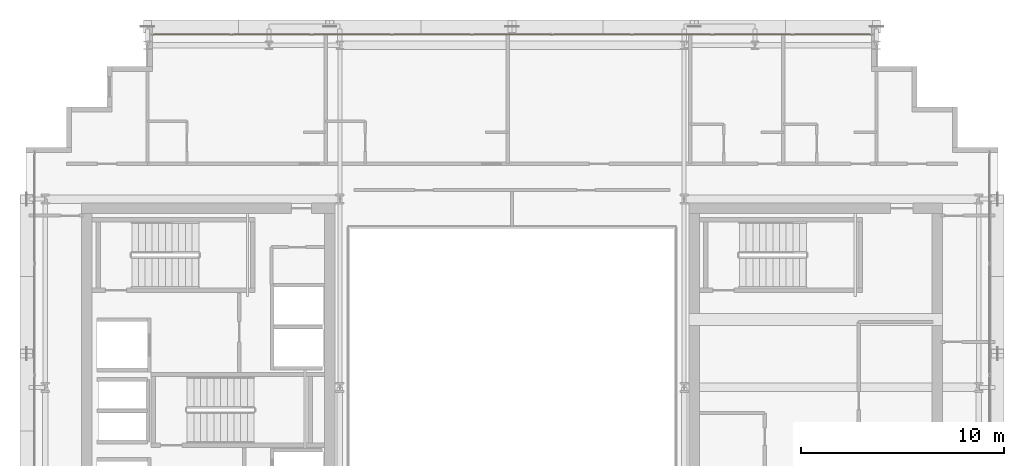
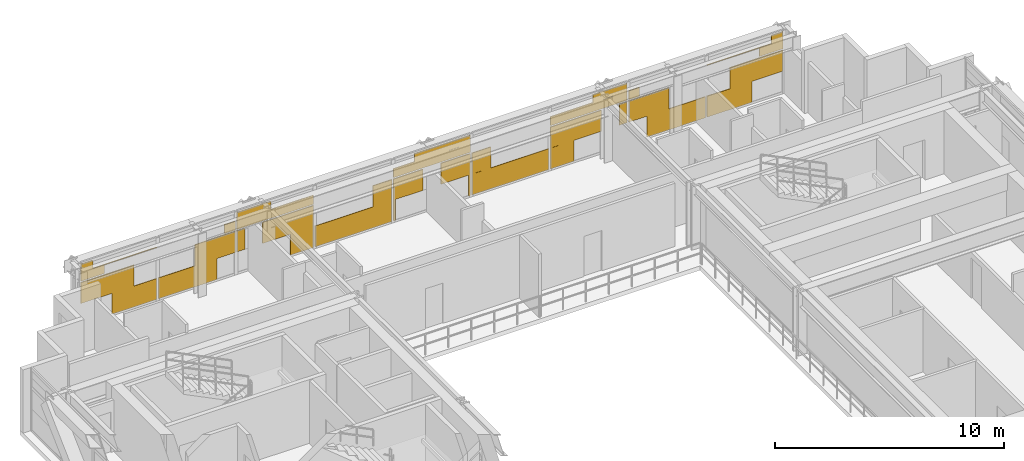
# One storey, part 32 of 32: 1 covering.
"""IFC4 building model written with IfcOpenShell, lengths in metres."""

from ifc_helpers import new_model, si_unit, direction, frame, origin, origin_2d, place, context, subcontext, project, spatial, rectangle, extrude, material, layer, layer_set, type_object, element, save


model = new_model("IFC4")

# Units and contexts
model_context = context("Model", 3, precision=1e-05, world=origin(), true_north=direction((0.0, 1.0)))
body_context = subcontext(model_context, "Body", "Model", "MODEL_VIEW")
ifc_project = project(units=[si_unit("LENGTHUNIT", "METRE"), si_unit("AREAUNIT", "SQUARE_METRE"), si_unit("VOLUMEUNIT", "CUBIC_METRE"), si_unit("PLANEANGLEUNIT", "RADIAN"), si_unit("MASSUNIT", "GRAM", prefix="KILO")], contexts=[model_context])

# Site, building, storey
site_placement = place(None, origin())
site = spatial("IfcSite", under=ifc_project, at=site_placement, CompositionType="ELEMENT")
building_placement = place(site_placement, origin())
building = spatial("IfcBuilding", under=site, at=building_placement, Name="Ocotamira Hotel", CompositionType="ELEMENT")
storey_placement = place(building_placement, frame((0.0, 0.0, 177.60009765625)))
storey = spatial("IfcBuildingStorey", under=building, at=storey_placement, Name="L44", CompositionType="ELEMENT", Elevation=177.60009765625)

# Covering
ifc_material = material(Name="Insulated pale-metal aluminium spandrel panel", Category="aluminium")
ifc_layer = layer(ifc_material, 0.044921875)
ifc_layer_set = layer_set([ifc_layer], Name="Insulated pale-metal aluminium spandrel panel")
covering_type = type_object("IfcCoveringType", Name="COV-INFILL-45", PredefinedType="CLADDING", material=ifc_layer_set)
covering_placement = place(storey_placement, origin())
element("IfcCovering", 1, at=covering_placement, inside=storey, type_object=covering_type, Name="L44 Curtain Wall Infill CW-4 CW-L44-N", PredefinedType="CLADDING", context=body_context, shape_type="SweptSolid", body=[
    extrude(rectangle(XDim=2.68701171875, YDim=0.044921875, at=origin_2d()), frame((15.6240234375, 45.580078125, 1.19384765625), z_axis=(0.0, 0.0, 1.0), x_axis=(1.0, 0.0, 0.0)), (0.0, 0.0, 1.0), 1.117919921875),
    extrude(rectangle(XDim=2.26708984375, YDim=0.044921875, at=origin_2d()), frame((16.9814453125, 45.580078125, 0.075439453125), z_axis=(0.0, 0.0, 1.0), x_axis=(1.0, 0.0, 0.0)), (0.0, 0.0, 1.0), 1.11767578125),
    extrude(rectangle(XDim=1.19482421875, YDim=0.044921875, at=origin_2d()), frame((14.8779296875, 45.580078125, 2.3876953125), z_axis=(0.0, 0.0, 1.0), x_axis=(1.0, 0.0, 0.0)), (0.0, 0.0, 1.0), 0.442626953125),
    extrude(rectangle(XDim=3.834716796875, YDim=0.044921875, at=origin_2d()), frame((16.19775390625, 45.580078125, 2.83154296875), z_axis=(0.0, 0.0, 1.0), x_axis=(1.0, 0.0, 0.0)), (0.0, 0.0, 1.0), 0.0302734375),
    extrude(rectangle(XDim=0.601318359375, YDim=0.044921875, at=origin_2d()), frame((14.581298828125, 45.580078125, 2.86279296875), z_axis=(0.0, 0.0, 1.0), x_axis=(1.0, 0.0, 0.0)), (0.0, 0.0, 1.0), 0.431640625),
    extrude(rectangle(XDim=2.955810546875, YDim=0.044921875, at=origin_2d()), frame((19.674072265625, 45.580078125, 0.075439453125), z_axis=(0.0, 0.0, 1.0), x_axis=(1.0, 0.0, 0.0)), (0.0, 0.0, 1.0), 1.11767578125),
    extrude(rectangle(XDim=2.0380859375, YDim=0.044921875, at=origin_2d()), frame((21.051513671875, 45.580078125, 1.19384765625), z_axis=(0.0, 0.0, 1.0), x_axis=(1.0, 0.0, 0.0)), (0.0, 0.0, 1.0), 1.117919921875),
    extrude(rectangle(XDim=0.5458984375, YDim=0.044921875, at=origin_2d()), frame((21.797607421875, 45.580078125, 2.3876953125), z_axis=(0.0, 0.0, 1.0), x_axis=(1.0, 0.0, 0.0)), (0.0, 0.0, 1.0), 0.473876953125),
    extrude(rectangle(XDim=0.398681640625, YDim=0.044921875, at=origin_2d()), frame((22.35107421875, 45.580078125, 1.19384765625), z_axis=(0.0, 0.0, 1.0), x_axis=(1.0, 0.0, 0.0)), (0.0, 0.0, 1.0), 1.117919921875),
    extrude(rectangle(XDim=2.57666015625, YDim=0.044921875, at=origin_2d()), frame((24.73779296875, 45.580078125, 1.19384765625), z_axis=(0.0, 0.0, 1.0), x_axis=(1.0, 0.0, 0.0)), (0.0, 0.0, 1.0), 1.117919921875),
    extrude(rectangle(XDim=1.177978515625, YDim=0.044921875, at=origin_2d()), frame((25.43701171875, 45.580078125, 0.075439453125), z_axis=(0.0, 0.0, 1.0), x_axis=(1.0, 0.0, 0.0)), (0.0, 0.0, 1.0), 1.11767578125),
    extrude(rectangle(XDim=3.87451171875, YDim=0.044921875, at=origin_2d()), frame((24.0888671875, 45.580078125, 2.3876953125), z_axis=(0.0, 0.0, 1.0), x_axis=(1.0, 0.0, 0.0)), (0.0, 0.0, 1.0), 0.473876953125),
    extrude(rectangle(XDim=1.730224609375, YDim=0.044921875, at=origin_2d()), frame((23.0166015625, 45.580078125, 2.86279296875), z_axis=(0.0, 0.0, 1.0), x_axis=(1.0, 0.0, 0.0)), (0.0, 0.0, 1.0), 0.431640625),
    extrude(rectangle(XDim=3.87451171875, YDim=0.044921875, at=origin_2d()), frame((28.04443359375, 45.580078125, 0.075439453125), z_axis=(0.0, 0.0, 1.0), x_axis=(1.0, 0.0, 0.0)), (0.0, 0.0, 1.0), 1.11767578125),
    extrude(rectangle(XDim=0.94921875, YDim=0.044921875, at=origin_2d()), frame((29.507080078125, 45.580078125, 1.19384765625), z_axis=(0.0, 0.0, 1.0), x_axis=(1.0, 0.0, 0.0)), (0.0, 0.0, 1.0), 1.117919921875),
    extrude(rectangle(XDim=0.089111328125, YDim=0.044921875, at=origin_2d()), frame((30.107421875, 45.580078125, 0.075439453125), z_axis=(0.0, 0.0, 1.0), x_axis=(1.0, 0.0, 0.0)), (0.0, 0.0, 1.0), 1.11767578125),
    extrude(rectangle(XDim=1.48779296875, YDim=0.044921875, at=origin_2d()), frame((30.806640625, 45.580078125, 1.19384765625), z_axis=(0.0, 0.0, 1.0), x_axis=(1.0, 0.0, 0.0)), (0.0, 0.0, 1.0), 1.117919921875),
    extrude(rectangle(XDim=1.48779296875, YDim=0.044921875, at=origin_2d()), frame((33.193359375, 45.580078125, 1.19384765625), z_axis=(0.0, 0.0, 1.0), x_axis=(1.0, 0.0, 0.0)), (0.0, 0.0, 1.0), 1.117919921875),
    extrude(rectangle(XDim=0.089111328125, YDim=0.044921875, at=origin_2d()), frame((33.892578125, 45.580078125, 0.075439453125), z_axis=(0.0, 0.0, 1.0), x_axis=(1.0, 0.0, 0.0)), (0.0, 0.0, 1.0), 1.11767578125),
    extrude(rectangle(XDim=3.87451171875, YDim=0.044921875, at=origin_2d()), frame((32.0, 45.580078125, 2.3876953125), z_axis=(0.0, 0.0, 1.0), x_axis=(1.0, 0.0, 0.0)), (0.0, 0.0, 1.0), 0.473876953125),
    extrude(rectangle(XDim=2.819091796875, YDim=0.044921875, at=origin_2d()), frame((32.527587890625, 45.580078125, 2.86279296875), z_axis=(0.0, 0.0, 1.0), x_axis=(1.0, 0.0, 0.0)), (0.0, 0.0, 1.0), 0.431640625),
    extrude(rectangle(XDim=3.87451171875, YDim=0.044921875, at=origin_2d()), frame((35.95556640625, 45.580078125, 0.075439453125), z_axis=(0.0, 0.0, 1.0), x_axis=(1.0, 0.0, 0.0)), (0.0, 0.0, 1.0), 1.11767578125),
    extrude(rectangle(XDim=0.94921875, YDim=0.044921875, at=origin_2d()), frame((34.492919921875, 45.580078125, 1.19384765625), z_axis=(0.0, 0.0, 1.0), x_axis=(1.0, 0.0, 0.0)), (0.0, 0.0, 1.0), 1.117919921875),
    extrude(rectangle(XDim=1.177978515625, YDim=0.044921875, at=origin_2d()), frame((38.56298828125, 45.580078125, 0.075439453125), z_axis=(0.0, 0.0, 1.0), x_axis=(1.0, 0.0, 0.0)), (0.0, 0.0, 1.0), 1.11767578125),
    extrude(rectangle(XDim=2.57666015625, YDim=0.044921875, at=origin_2d()), frame((39.26220703125, 45.580078125, 1.19384765625), z_axis=(0.0, 0.0, 1.0), x_axis=(1.0, 0.0, 0.0)), (0.0, 0.0, 1.0), 1.117919921875),
    extrude(rectangle(XDim=0.398681640625, YDim=0.044921875, at=origin_2d()), frame((41.64892578125, 45.580078125, 1.19384765625), z_axis=(0.0, 0.0, 1.0), x_axis=(1.0, 0.0, 0.0)), (0.0, 0.0, 1.0), 1.117919921875),
    extrude(rectangle(XDim=3.87451171875, YDim=0.044921875, at=origin_2d()), frame((39.9111328125, 45.580078125, 2.3876953125), z_axis=(0.0, 0.0, 1.0), x_axis=(1.0, 0.0, 0.0)), (0.0, 0.0, 1.0), 0.473876953125),
    extrude(rectangle(XDim=1.730224609375, YDim=0.044921875, at=origin_2d()), frame((40.9833984375, 45.580078125, 2.86279296875), z_axis=(0.0, 0.0, 1.0), x_axis=(1.0, 0.0, 0.0)), (0.0, 0.0, 1.0), 0.431640625),
    extrude(rectangle(XDim=2.0380859375, YDim=0.044921875, at=origin_2d()), frame((42.948486328125, 45.580078125, 1.19384765625), z_axis=(0.0, 0.0, 1.0), x_axis=(1.0, 0.0, 0.0)), (0.0, 0.0, 1.0), 1.117919921875),
    extrude(rectangle(XDim=2.955810546875, YDim=0.044921875, at=origin_2d()), frame((44.325927734375, 45.580078125, 0.075439453125), z_axis=(0.0, 0.0, 1.0), x_axis=(1.0, 0.0, 0.0)), (0.0, 0.0, 1.0), 1.11767578125),
    extrude(rectangle(XDim=0.5458984375, YDim=0.044921875, at=origin_2d()), frame((42.202392578125, 45.580078125, 2.3876953125), z_axis=(0.0, 0.0, 1.0), x_axis=(1.0, 0.0, 0.0)), (0.0, 0.0, 1.0), 0.473876953125),
    extrude(rectangle(XDim=2.26708984375, YDim=0.044921875, at=origin_2d()), frame((47.0185546875, 45.580078125, 0.075439453125), z_axis=(0.0, 0.0, 1.0), x_axis=(1.0, 0.0, 0.0)), (0.0, 0.0, 1.0), 1.11767578125),
    extrude(rectangle(XDim=2.68701171875, YDim=0.044921875, at=origin_2d()), frame((48.3759765625, 45.580078125, 1.19384765625), z_axis=(0.0, 0.0, 1.0), x_axis=(1.0, 0.0, 0.0)), (0.0, 0.0, 1.0), 1.117919921875),
    extrude(rectangle(XDim=3.834716796875, YDim=0.044921875, at=origin_2d()), frame((47.80224609375, 45.580078125, 2.83154296875), z_axis=(0.0, 0.0, 1.0), x_axis=(1.0, 0.0, 0.0)), (0.0, 0.0, 1.0), 0.0302734375),
    extrude(rectangle(XDim=1.19482421875, YDim=0.044921875, at=origin_2d()), frame((49.1220703125, 45.580078125, 2.3876953125), z_axis=(0.0, 0.0, 1.0), x_axis=(1.0, 0.0, 0.0)), (0.0, 0.0, 1.0), 0.442626953125),
    extrude(rectangle(XDim=0.601318359375, YDim=0.044921875, at=origin_2d()), frame((49.418701171875, 45.580078125, 2.86279296875), z_axis=(0.0, 0.0, 1.0), x_axis=(1.0, 0.0, 0.0)), (0.0, 0.0, 1.0), 0.431640625),
])

save(model, "model.ifc")
